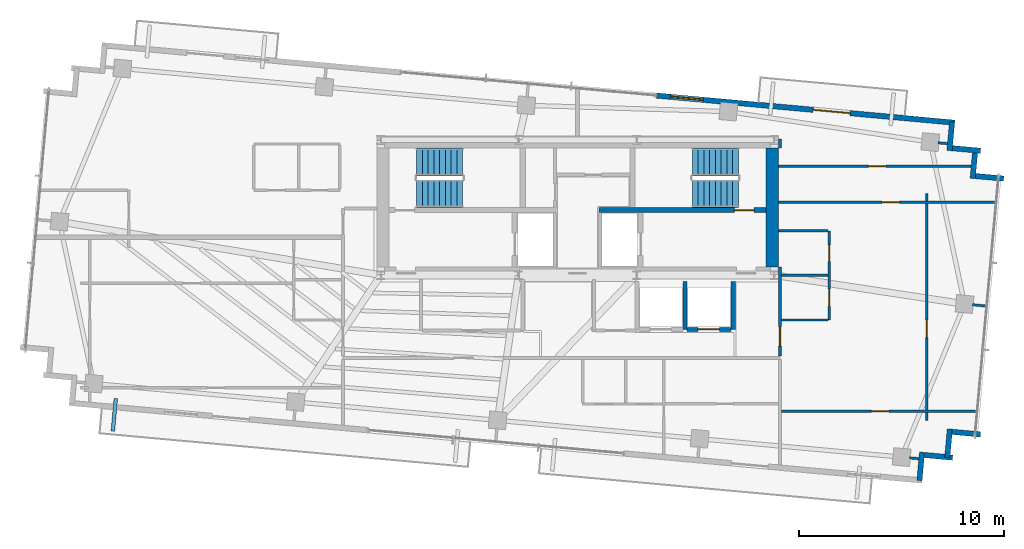
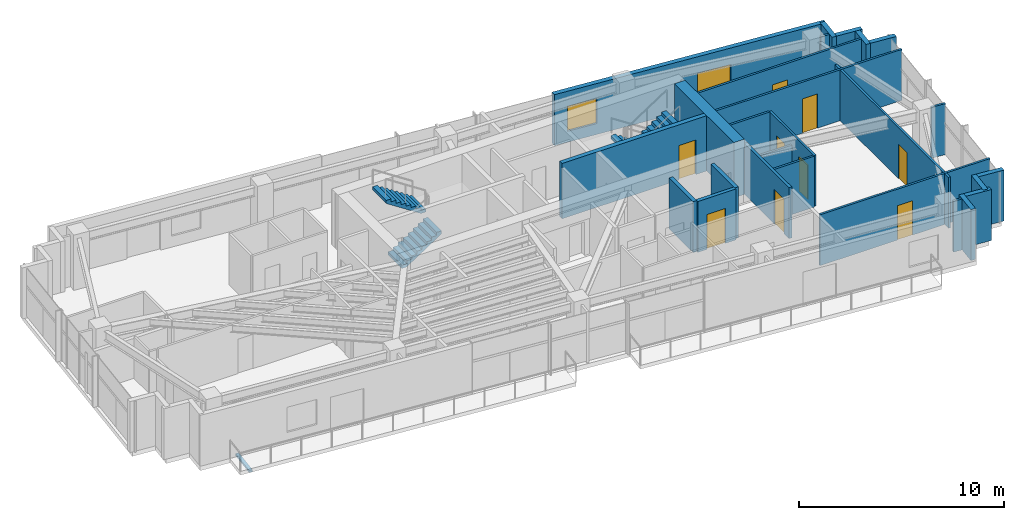
# One storey, part 18 of 22: 29 walls, 10 doors, 4 stair flights, 1 discrete accessory, 1 window, 11 openings, 2 elements without a shape of their own.
"""IFC4 building model written with IfcOpenShell, lengths in metres."""

from ifc_helpers import new_model, si_unit, direction, frame, frame_2d, origin, origin_2d, place, context, subcontext, project, spatial, polyline, rectangle, outline, extrude, source, transform, mapped, material, layer, layer_set, type_object, type_shapes, element, fill, aggregate, save


model = new_model("IFC4")

# Units and contexts
model_context = context("Model", 3, precision=1e-05, world=origin(), true_north=direction((0.0, 1.0)))
body_context = subcontext(model_context, "Body", "Model", "MODEL_VIEW")
ifc_project = project(units=[si_unit("LENGTHUNIT", "METRE"), si_unit("AREAUNIT", "SQUARE_METRE"), si_unit("VOLUMEUNIT", "CUBIC_METRE"), si_unit("PLANEANGLEUNIT", "RADIAN"), si_unit("MASSUNIT", "GRAM", prefix="KILO")], contexts=[model_context])

# Site, building, storey
site_placement = place(None, origin())
site = spatial("IfcSite", under=ifc_project, at=site_placement, CompositionType="ELEMENT")
building_placement = place(site_placement, origin())
building = spatial("IfcBuilding", under=site, at=building_placement, Name="Astriad Promenade Condominiums", CompositionType="ELEMENT")
storey_placement = place(building_placement, frame((0.0, 0.0, 252.89990234375)))
storey = spatial("IfcBuildingStorey", under=building, at=storey_placement, Name="L73", CompositionType="ELEMENT", Elevation=252.89990234375)

# Wall
ifc_material_1 = material(Name="Concrete C50/60", Category="concrete")
ifc_layer_1 = layer(ifc_material_1, 0.60009765625)
ifc_layer_set_1 = layer_set([ifc_layer_1], Name="Concrete C50/60")
wall_type_1 = type_object("IfcWallType", Name="CW-SHEAR-600", PredefinedType="SHEAR", material=ifc_layer_set_1)
wall_1_placement = place(storey_placement, frame((45.5, 17.802001953125, 0.0), z_axis=(0.0, 0.0, 1.0), x_axis=(0.0, 1.0, 0.0)))
element("IfcWall", 1, at=wall_1_placement, inside=storey, type_object=wall_type_1, Name="CW-CORE-E-L73", PredefinedType="SHEAR", context=body_context, shape_type="SweptSolid", body=[
    extrude(rectangle(XDim=5.7958984375, YDim=0.60009765625, at=frame_2d((2.89794921875, 0.0))), origin(), (0.0, 0.0, 1.0), 3.300048828125),
])

# Wall, opening, door
ifc_layer_2 = layer(ifc_material_1, 0.25)
ifc_layer_set_2 = layer_set([ifc_layer_2], Name="Concrete C50/60")
wall_type_2 = type_object("IfcWallType", Name="WALL-CORE-INT-250", PredefinedType="SOLIDWALL", material=ifc_layer_set_2)
wall_2_placement = place(storey_placement, frame((37.050048828125, 20.574951171875, 0.0), z_axis=(0.0, 0.0, 1.0), x_axis=(1.0, 0.0, 0.0)))
wall_2 = element("IfcWall", 2, at=wall_2_placement, inside=storey, type_object=wall_type_2, Name="CW-INT-H2-L73", PredefinedType="SOLIDWALL", context=body_context, shape_type="SweptSolid", body=[
    extrude(rectangle(XDim=8.14794921875, YDim=0.25, at=frame_2d((4.073974609375, 0.0))), origin(), (0.0, 0.0, 1.0), 3.300048828125),
])
opening_1_placement = place(wall_2_placement, frame((6.60009765625, 0.0, 0.0)))
opening_1 = element("IfcOpeningElement", 3, at=opening_1_placement, cuts=wall_2, Name="Opening FD90-ST-095", PredefinedType="OPENING", context=body_context, shape_type="SweptSolid", body=[
    extrude(rectangle(XDim=0.949951171875, YDim=2.06005859375, at=frame_2d((0.47509765625, 1.030029296875))), frame((0.0, 0.135009765625, 0.0), z_axis=(0.0, -1.0, 0.0), x_axis=(1.0, 0.0, 0.0)), (0.0, 0.0, 1.0), 0.27001953125),
])
ifc_material_2 = material(Name="Fire-Rated Hollow Metal Stair Door")
door_type_1 = type_object("IfcDoorType", Name="FD90-ST-095", OperationType="NOTDEFINED", PredefinedType="DOOR", material=ifc_material_2)
shared_shape_1 = source(origin(), body_context, "Body", "SweptSolid", [
    extrude(rectangle(XDim=0.949951171875, YDim=2.06005859375, at=frame_2d((0.47509765625, 1.030029296875))), frame((0.0, 0.02490234375, 0.0), z_axis=(0.0, -1.0, 0.0), x_axis=(1.0, 0.0, 0.0)), (0.0, 0.0, 1.0), 0.050048828125),
])
type_shapes(door_type_1, [shared_shape_1])
door_1_placement = place(opening_1_placement, origin())
door_1 = element("IfcDoor", 4, at=door_1_placement, inside=storey, type_object=door_type_1, Name="D-ST2-L73", OperationType="SINGLE_SWING_RIGHT", OverallHeight=2.06005859375, OverallWidth=0.949951171875, PredefinedType="DOOR", context=body_context, shape_type="MappedRepresentation", body=[
    mapped(shared_shape_1, transform((0.0, 0.0, 0.0), scale=1.0)),
])
fill(opening_1, door_1)

ifc_material_3 = material(Name="Fire-Rated Gypsum Partition")
ifc_layer_3 = layer(ifc_material_3, 0.159912109375)
ifc_layer_set_3 = layer_set([ifc_layer_3], Name="Fire-Rated Gypsum Partition")
wall_type_3 = type_object("IfcWallType", Name="WALL-CORR-160", PredefinedType="PARTITIONING", material=ifc_layer_set_3)
wall_3_placement = place(storey_placement, frame((45.8798828125, 13.44189453125, 0.0), z_axis=(0.0, 0.0, 1.0), x_axis=(0.0, 1.0, 0.0)))
wall_3 = element("IfcWall", 5, at=wall_3_placement, inside=storey, type_object=wall_type_3, Name="PT-COR-E-L73-S2", PredefinedType="PARTITIONING", context=body_context, shape_type="SweptSolid", body=[
    extrude(rectangle(XDim=4.360107421875, YDim=0.159912109375, at=frame_2d((2.18017578125, 0.0))), origin(), (0.0, 0.0, 1.0), 3.0400390625),
])
opening_2_placement = place(wall_3_placement, frame((0.492919921875, 0.0, 0.0)))
opening_2 = element("IfcOpeningElement", 6, at=opening_2_placement, cuts=wall_3, Name="Opening FD60-APT-095", PredefinedType="OPENING", context=body_context, shape_type="SweptSolid", body=[
    extrude(rectangle(XDim=0.949951171875, YDim=2.06005859375, at=frame_2d((0.47509765625, 1.030029296875))), frame((0.0, 0.08984375, 0.0), z_axis=(0.0, -1.0, 0.0), x_axis=(1.0, 0.0, 0.0)), (0.0, 0.0, 1.0), 0.179931640625),
])
ifc_material_4 = material(Name="Solid-Core Acoustic Timber Residence Entry Door", Category="wood")
door_type_2 = type_object("IfcDoorType", Name="FD60-APT-095", OperationType="NOTDEFINED", PredefinedType="DOOR", material=ifc_material_4)
shared_shape_2 = source(origin(), body_context, "Body", "SweptSolid", [
    extrude(rectangle(XDim=0.949951171875, YDim=2.06005859375, at=frame_2d((0.47509765625, 1.030029296875))), frame((0.0, 0.02490234375, 0.0), z_axis=(0.0, -1.0, 0.0), x_axis=(1.0, 0.0, 0.0)), (0.0, 0.0, 1.0), 0.050048828125),
])
type_shapes(door_type_2, [shared_shape_2])
door_2_placement = place(opening_2_placement, origin())
door_2 = element("IfcDoor", 7, at=door_2_placement, inside=storey, type_object=door_type_2, Name="D-ENT-L73-E1", OperationType="SINGLE_SWING_RIGHT", OverallHeight=2.06005859375, OverallWidth=0.949951171875, PredefinedType="DOOR", context=body_context, shape_type="MappedRepresentation", body=[
    mapped(shared_shape_2, transform((0.0, 0.0, 0.0), scale=1.0)),
])
fill(opening_2, door_2)

# Wall
wall_4_placement = place(storey_placement, frame((45.8798828125, 23.597900390625, 0.0), z_axis=(0.0, 0.0, 1.0), x_axis=(0.0, 1.0, 0.0)))
element("IfcWall", 8, at=wall_4_placement, inside=storey, type_object=wall_type_3, Name="PT-COR-E-L73-S3", PredefinedType="PARTITIONING", context=body_context, shape_type="SweptSolid", body=[
    extrude(rectangle(XDim=0.4521484375, YDim=0.159912109375, at=frame_2d((0.22607421875, 0.0))), origin(), (0.0, 0.0, 1.0), 3.0400390625),
])

# Wall, openings, door, window
ifc_material_5 = material(Name="Precast concrete C50/60", Category="concrete")
ifc_layer_4 = layer(ifc_material_5, 0.260009765625)
ifc_layer_set_4 = layer_set([ifc_layer_4], Name="Precast concrete C50/60")
wall_type_4 = type_object("IfcWallType", Name="WALL-EXT-TWR-260", PredefinedType="STANDARD", material=ifc_layer_set_4)
wall_5_placement = place(storey_placement, frame((39.839111328125, 26.16552734375, 0.0), z_axis=(0.0, 0.0, 1.0), x_axis=(0.995884447498, -0.090632043071, 0.0)))
wall_5 = element("IfcWall", 9, at=wall_5_placement, inside=storey, type_object=wall_type_4, Name="W-EXT-L73-N2", PredefinedType="STANDARD", context=body_context, shape_type="SweptSolid", body=[
    extrude(rectangle(XDim=14.6298828125, YDim=0.260009765625, at=frame_2d((7.31494140625, 0.0))), origin(), (0.0, 0.0, 1.0), 3.0400390625),
])
opening_3_placement = place(wall_5_placement, frame((7.699951171875, 0.0, 0.0)))
opening_3 = element("IfcOpeningElement", 10, at=opening_3_placement, cuts=wall_5, Name="Opening BD-1822-SLD", PredefinedType="OPENING", context=body_context, shape_type="SweptSolid", body=[
    extrude(rectangle(XDim=1.800048828125, YDim=2.06005859375, at=frame_2d((0.89990234375, 1.030029296875))), frame((0.0, 0.139892578125, 0.0), z_axis=(0.0, -1.0, 0.0), x_axis=(1.0, 0.0, 0.0)), (0.0, 0.0, 1.0), 0.280029296875),
])
opening_4_placement = place(wall_5_placement, frame((0.699951171875, 0.0, 0.64990234375)))
opening_4 = element("IfcOpeningElement", 11, at=opening_4_placement, cuts=wall_5, Name="Opening WIN-TWR-1620", PredefinedType="OPENING", context=body_context, shape_type="SweptSolid", body=[
    extrude(rectangle(XDim=1.60009765625, YDim=1.5, at=frame_2d((0.800048828125, 0.75))), frame((0.0, 0.139892578125, 0.0), z_axis=(0.0, -1.0, 0.0), x_axis=(1.0, 0.0, 0.0)), (0.0, 0.0, 1.0), 0.280029296875),
])
ifc_material_6 = material(Name="Thermally Broken Aluminium Sliding Balcony Door", Category="aluminium")
door_type_3 = type_object("IfcDoorType", Name="BD-1822-SLD", OperationType="NOTDEFINED", PredefinedType="DOOR", material=ifc_material_6)
shared_shape_3 = source(origin(), body_context, "Body", "SweptSolid", [
    extrude(rectangle(XDim=1.800048828125, YDim=2.06005859375, at=frame_2d((0.89990234375, 1.030029296875))), frame((0.0, 0.02490234375, 0.0), z_axis=(0.0, -1.0, 0.0), x_axis=(1.0, 0.0, 0.0)), (0.0, 0.0, 1.0), 0.050048828125),
])
type_shapes(door_type_3, [shared_shape_3])
door_3_placement = place(opening_3_placement, origin())
door_3 = element("IfcDoor", 12, at=door_3_placement, inside=storey, type_object=door_type_3, Name="BD-L73-NE", OperationType="SLIDING_TO_RIGHT", OverallHeight=2.06005859375, OverallWidth=1.800048828125, PredefinedType="DOOR", context=body_context, shape_type="MappedRepresentation", body=[
    mapped(shared_shape_3, transform((0.0, 0.0, 0.0), scale=1.0)),
])
fill(opening_3, door_3)
ifc_material_7 = material(Name="Dark Tinted Triple-Glazed Aluminium Window", Category="aluminium")
window_type = type_object("IfcWindowType", Name="WIN-TWR-1620", PartitioningType="SINGLE_PANEL", PredefinedType="WINDOW", material=ifc_material_7)
shared_shape_4 = source(origin(), body_context, "Body", "SweptSolid", [
    extrude(rectangle(XDim=1.60009765625, YDim=1.5, at=frame_2d((0.800048828125, 0.75))), frame((0.0, 0.030029296875, 0.0), z_axis=(0.0, -1.0, 0.0), x_axis=(1.0, 0.0, 0.0)), (0.0, 0.0, 1.0), 0.06005859375),
])
type_shapes(window_type, [shared_shape_4])
window_placement = place(opening_4_placement, origin())
window = element("IfcWindow", 13, at=window_placement, inside=storey, type_object=window_type, Name="WIN-L73-NE", OverallHeight=1.5, OverallWidth=1.60009765625, PartitioningType="SINGLE_PANEL", PredefinedType="WINDOW", context=body_context, shape_type="MappedRepresentation", body=[
    mapped(shared_shape_4, transform((0.0, 0.0, 0.0), scale=1.0)),
])
fill(opening_4, window)

# Walls
wall_6_placement = place(storey_placement, frame((54.28076171875, 24.866455078125, 0.0), z_axis=(0.0, 0.0, 1.0), x_axis=(-0.090661991521, -0.995881721538, 0.0)))
element("IfcWall", 14, at=wall_6_placement, inside=storey, type_object=wall_type_4, Name="W-SER-L73-09", PredefinedType="STANDARD", context=body_context, shape_type="SweptSolid", body=[
    extrude(rectangle(XDim=1.39501953125, YDim=0.260009765625, at=frame_2d((0.697509765625, 0.0))), origin(), (0.0, 0.0, 1.0), 3.0400390625),
])
for number, where, z_axis, x_axis, name in (
    (15, (54.280517578125, 23.59619140625, 0.0), (0.0, 0.0, 1.0), (0.995883159782, -0.090646191665, 0.0), "W-SER-L73-10"),
    (16, (55.412353515625, 23.50830078125, 0.0), (0.0, 0.0, 1.0), (-0.090646191665, -0.995883159782, 0.0), "W-SER-L73-11"),
    (17, (55.412109375, 22.238037109375, 0.0), (0.0, 0.0, 1.0), (0.995883159782, -0.090646191665, 0.0), "W-SER-L73-12"),
):
    element("IfcWall", number, at=place(storey_placement, frame(where, z_axis=z_axis, x_axis=x_axis)), inside=storey, type_object=wall_type_4, Name=name, PredefinedType="STANDARD", context=body_context, shape_type="SweptSolid", body=[
        extrude(rectangle(XDim=1.395263671875, YDim=0.260009765625, at=frame_2d((0.69775390625, 0.0))), origin(), (0.0, 0.0, 1.0), 3.0400390625),
    ])
for number, where, z_axis, x_axis, name in (
    (18, (55.664794921875, 9.623291015625, 0.0), (0.0, 0.0, 1.0), (-0.995881721538, 0.090661991521, 0.0), "W-SER-L73-14"),
    (19, (54.1728515625, 9.889404296875, 0.0), (0.0, 0.0, 1.0), (-0.090661991521, -0.995881721538, 0.0), "W-SER-L73-15"),
):
    element("IfcWall", number, at=place(storey_placement, frame(where, z_axis=z_axis, x_axis=x_axis)), inside=storey, type_object=wall_type_4, Name=name, PredefinedType="STANDARD", context=body_context, shape_type="SweptSolid", body=[
        extrude(rectangle(XDim=1.39501953125, YDim=0.260009765625, at=frame_2d((0.697509765625, 0.0))), origin(), (0.0, 0.0, 1.0), 3.0400390625),
    ])
for number, where, z_axis, x_axis, name in (
    (20, (54.306884765625, 8.49169921875, 0.0), (0.0, 0.0, 1.0), (-0.995883159782, 0.090646191665, 0.0), "W-SER-L73-16"),
    (21, (52.814697265625, 8.758056640625, 0.0), (0.0, 0.0, 1.0), (-0.090646191665, -0.995883159782, 0.0), "W-SER-L73-17"),
):
    element("IfcWall", number, at=place(storey_placement, frame(where, z_axis=z_axis, x_axis=x_axis)), inside=storey, type_object=wall_type_4, Name=name, PredefinedType="STANDARD", context=body_context, shape_type="SweptSolid", body=[
        extrude(rectangle(XDim=1.395263671875, YDim=0.260009765625, at=frame_2d((0.69775390625, 0.0))), origin(), (0.0, 0.0, 1.0), 3.0400390625),
    ])

# Wall, openings, doors
ifc_material_8 = material(Name="Acoustic Metal-Stud Gypsum Partition")
ifc_layer_5 = layer(ifc_material_8, 0.1201171875)
ifc_layer_set_5 = layer_set([ifc_layer_5], Name="Acoustic Metal-Stud Gypsum Partition")
wall_type_5 = type_object("IfcWallType", Name="WALL-PART-120", PredefinedType="PARTITIONING", material=ifc_layer_set_5)
wall_7_placement = place(storey_placement, frame((48.280029296875, 15.2099609375, 0.0), z_axis=(0.0, 0.0, 1.0), x_axis=(0.0, 1.0, 0.0)))
wall_7 = element("IfcWall", 22, at=wall_7_placement, inside=storey, type_object=wall_type_5, Name="PT-L73-E1-PV", PredefinedType="PARTITIONING", context=body_context, shape_type="SweptSolid", body=[
    extrude(rectangle(XDim=4.35009765625, YDim=0.1201171875, at=frame_2d((2.175048828125, 0.0))), origin(), (0.0, 0.0, 1.0), 3.0400390625),
])
opening_5_placement = place(wall_7_placement, frame((0.662109375, 0.0, 0.0)))
opening_5 = element("IfcOpeningElement", 23, at=opening_5_placement, cuts=wall_7, Name="Opening D-INT-085", PredefinedType="OPENING", context=body_context, shape_type="SweptSolid", body=[
    extrude(rectangle(XDim=0.85009765625, YDim=2.050048828125, at=frame_2d((0.425048828125, 1.02490234375))), frame((0.0, 0.070068359375, 0.0), z_axis=(0.0, -1.0, 0.0), x_axis=(1.0, 0.0, 0.0)), (0.0, 0.0, 1.0), 0.14013671875),
])
opening_6_placement = place(wall_7_placement, frame((2.863037109375, 0.0, 0.0)))
opening_6 = element("IfcOpeningElement", 24, at=opening_6_placement, cuts=wall_7, Name="Opening D-WET-080", PredefinedType="OPENING", context=body_context, shape_type="SweptSolid", body=[
    extrude(rectangle(XDim=0.800048828125, YDim=2.02001953125, at=frame_2d((0.39990234375, 1.010009765625))), frame((0.0, 0.070068359375, 0.0), z_axis=(0.0, -1.0, 0.0), x_axis=(1.0, 0.0, 0.0)), (0.0, 0.0, 1.0), 0.14013671875),
])
ifc_material_9 = material(Name="Moisture-Resistant Timber Bathroom Door", Category="wood")
door_type_4 = type_object("IfcDoorType", Name="D-WET-080", OperationType="NOTDEFINED", PredefinedType="DOOR", material=ifc_material_9)
shared_shape_5 = source(origin(), body_context, "Body", "SweptSolid", [
    extrude(rectangle(XDim=0.800048828125, YDim=2.02001953125, at=frame_2d((0.39990234375, 1.010009765625))), frame((0.0, 0.02490234375, 0.0), z_axis=(0.0, -1.0, 0.0), x_axis=(1.0, 0.0, 0.0)), (0.0, 0.0, 1.0), 0.050048828125),
])
type_shapes(door_type_4, [shared_shape_5])
door_4_placement = place(opening_6_placement, origin())
door_4 = element("IfcDoor", 25, at=door_4_placement, inside=storey, type_object=door_type_4, Name="D-BTH-L73-E1", OperationType="SINGLE_SWING_RIGHT", OverallHeight=2.02001953125, OverallWidth=0.800048828125, PredefinedType="DOOR", context=body_context, shape_type="MappedRepresentation", body=[
    mapped(shared_shape_5, transform((0.0, 0.0, 0.0), scale=1.0)),
])
fill(opening_6, door_4)
ifc_material_10 = material(Name="Painted Solid-Core Timber Room Door", Category="wood")
door_type_5 = type_object("IfcDoorType", Name="D-INT-085", OperationType="NOTDEFINED", PredefinedType="DOOR", material=ifc_material_10)
shared_shape_6 = source(origin(), body_context, "Body", "SweptSolid", [
    extrude(rectangle(XDim=0.85009765625, YDim=2.050048828125, at=frame_2d((0.425048828125, 1.02490234375))), frame((0.0, 0.02490234375, 0.0), z_axis=(0.0, -1.0, 0.0), x_axis=(1.0, 0.0, 0.0)), (0.0, 0.0, 1.0), 0.050048828125),
])
type_shapes(door_type_5, [shared_shape_6])
door_5_placement = place(opening_5_placement, origin())
door_5 = element("IfcDoor", 26, at=door_5_placement, inside=storey, type_object=door_type_5, Name="D-KIT-L73-E1", OperationType="SINGLE_SWING_LEFT", OverallHeight=2.050048828125, OverallWidth=0.85009765625, PredefinedType="DOOR", context=body_context, shape_type="MappedRepresentation", body=[
    mapped(shared_shape_6, transform((0.0, 0.0, 0.0), scale=1.0)),
])
fill(opening_5, door_5)

# Walls
wall_8_placement = place(storey_placement, frame((45.9619140625, 17.385009765625, 0.0), z_axis=(0.0, 0.0, 1.0), x_axis=(1.0, 0.0, 0.0)))
element("IfcWall", 27, at=wall_8_placement, inside=storey, type_object=wall_type_5, Name="PT-L73-E1-PM", PredefinedType="PARTITIONING", context=body_context, shape_type="SweptSolid", body=[
    extrude(rectangle(XDim=2.256103515625, YDim=0.1201171875, at=frame_2d((1.1279296875, 0.0))), origin(), (0.0, 0.0, 1.0), 2.381591796875),
])
wall_9_placement = place(storey_placement, frame((45.9619140625, 15.2099609375, 0.0), z_axis=(0.0, 0.0, 1.0), x_axis=(1.0, 0.0, 0.0)))
element("IfcWall", 28, at=wall_9_placement, inside=storey, type_object=wall_type_5, Name="PT-L73-E1-PS", PredefinedType="PARTITIONING", context=body_context, shape_type="SweptSolid", body=[
    extrude(rectangle(XDim=2.256103515625, YDim=0.1201171875, at=frame_2d((1.1279296875, 0.0))), origin(), (0.0, 0.0, 1.0), 3.0400390625),
])
wall_10_placement = place(storey_placement, frame((45.802001953125, 19.56005859375, 0.0), z_axis=(0.0, 0.0, 1.0), x_axis=(1.0, 0.0, 0.0)))
element("IfcWall", 29, at=wall_10_placement, inside=storey, type_object=wall_type_5, Name="PT-L73-E1-PN", PredefinedType="PARTITIONING", context=body_context, shape_type="SweptSolid", body=[
    extrude(rectangle(XDim=2.416015625, YDim=0.1201171875, at=frame_2d((1.2080078125, 0.0))), origin(), (0.0, 0.0, 1.0), 3.0400390625),
])

# Wall, opening, door
wall_11_placement = place(storey_placement, frame((45.802001953125, 22.717041015625, 0.0), z_axis=(0.0, 0.0, 1.0), x_axis=(1.0, 0.0, 0.0)))
wall_11 = element("IfcWall", 30, at=wall_11_placement, inside=storey, type_object=wall_type_5, Name="PT-L73-E1-WDN1", PredefinedType="PARTITIONING", context=body_context, shape_type="SweptSolid", body=[
    extrude(rectangle(XDim=9.40576171875, YDim=0.1201171875, at=frame_2d((4.702880859375, 0.0))), origin(), (0.0, 0.0, 1.0), 3.0400390625),
])
opening_7_placement = place(wall_11_placement, frame((4.39697265625, 0.0, 0.0)))
opening_7 = element("IfcOpeningElement", 31, at=opening_7_placement, cuts=wall_11, Name="Opening D-INT-085", PredefinedType="OPENING", context=body_context, shape_type="SweptSolid", body=[
    extrude(rectangle(XDim=0.85009765625, YDim=2.050048828125, at=frame_2d((0.425048828125, 1.02490234375))), frame((0.0, 0.070068359375, 0.0), z_axis=(0.0, -1.0, 0.0), x_axis=(1.0, 0.0, 0.0)), (0.0, 0.0, 1.0), 0.14013671875),
])
door_6_placement = place(opening_7_placement, origin())
door_6 = element("IfcDoor", 32, at=door_6_placement, inside=storey, type_object=door_type_5, Name="D-WDN1-L73-E1", OperationType="SINGLE_SWING_LEFT", OverallHeight=2.050048828125, OverallWidth=0.85009765625, PredefinedType="DOOR", context=body_context, shape_type="MappedRepresentation", body=[
    mapped(shared_shape_6, transform((0.0, 0.0, 0.0), scale=1.0)),
])
fill(opening_7, door_6)

wall_12_placement = place(storey_placement, frame((45.9619140625, 10.74609375, 0.0), z_axis=(0.0, 0.0, 1.0), x_axis=(1.0, 0.0, 0.0)))
wall_12 = element("IfcWall", 33, at=wall_12_placement, inside=storey, type_object=wall_type_5, Name="PT-L73-E1-WDS2", PredefinedType="PARTITIONING", context=body_context, shape_type="SweptSolid", body=[
    extrude(rectangle(XDim=9.59423828125, YDim=0.1201171875, at=frame_2d((4.797119140625, 0.0))), origin(), (0.0, 0.0, 1.0), 3.0400390625),
])
opening_8_placement = place(wall_12_placement, frame((4.3779296875, 0.0, 0.0)))
opening_8 = element("IfcOpeningElement", 34, at=opening_8_placement, cuts=wall_12, Name="Opening D-INT-085", PredefinedType="OPENING", context=body_context, shape_type="SweptSolid", body=[
    extrude(rectangle(XDim=0.85009765625, YDim=2.050048828125, at=frame_2d((0.425048828125, 1.02490234375))), frame((0.0, 0.070068359375, 0.0), z_axis=(0.0, -1.0, 0.0), x_axis=(1.0, 0.0, 0.0)), (0.0, 0.0, 1.0), 0.14013671875),
])
door_7_placement = place(opening_8_placement, origin())
door_7 = element("IfcDoor", 35, at=door_7_placement, inside=storey, type_object=door_type_5, Name="D-WDS2-L73-E1", OperationType="SINGLE_SWING_RIGHT", OverallHeight=2.050048828125, OverallWidth=0.85009765625, PredefinedType="DOOR", context=body_context, shape_type="MappedRepresentation", body=[
    mapped(shared_shape_6, transform((0.0, 0.0, 0.0), scale=1.0)),
])
fill(opening_8, door_7)

wall_13_placement = place(storey_placement, frame((45.802001953125, 20.9541015625, 0.0), z_axis=(0.0, 0.0, 1.0), x_axis=(1.0, 0.0, 0.0)))
wall_13 = element("IfcWall", 36, at=wall_13_placement, inside=storey, type_object=wall_type_5, Name="PT-L73-E1-WDN3", PredefinedType="PARTITIONING", context=body_context, shape_type="SweptSolid", body=[
    extrude(rectangle(XDim=10.68310546875, YDim=0.1201171875, at=frame_2d((5.341552734375, 0.0))), origin(), (0.0, 0.0, 1.0), 3.0400390625),
])
opening_9_placement = place(wall_13_placement, frame((5.06201171875, 0.0, 0.0)))
opening_9 = element("IfcOpeningElement", 37, at=opening_9_placement, cuts=wall_13, Name="Opening D-INT-085", PredefinedType="OPENING", context=body_context, shape_type="SweptSolid", body=[
    extrude(rectangle(XDim=0.85009765625, YDim=2.050048828125, at=frame_2d((0.425048828125, 1.02490234375))), frame((0.0, 0.070068359375, 0.0), z_axis=(0.0, -1.0, 0.0), x_axis=(1.0, 0.0, 0.0)), (0.0, 0.0, 1.0), 0.14013671875),
])
door_8_placement = place(opening_9_placement, origin())
door_8 = element("IfcDoor", 38, at=door_8_placement, inside=storey, type_object=door_type_5, Name="D-WDN3-L73-E1", OperationType="SINGLE_SWING_LEFT", OverallHeight=2.050048828125, OverallWidth=0.85009765625, PredefinedType="DOOR", context=body_context, shape_type="MappedRepresentation", body=[
    mapped(shared_shape_6, transform((0.0, 0.0, 0.0), scale=1.0)),
])
fill(opening_9, door_8)

# Wall
wall_14_placement = place(storey_placement, frame((53.047119140625, 10.305908203125, 0.0), z_axis=(0.0, 0.0, 1.0), x_axis=(0.0, 1.0, 0.0)))
element("IfcWall", 39, at=wall_14_placement, inside=storey, type_object=wall_type_5, Name="PT-L73-E1-WDV4", PredefinedType="PARTITIONING", context=body_context, shape_type="SweptSolid", body=[
    extrude(rectangle(XDim=0.378173828125, YDim=0.1201171875, at=frame_2d((0.18896484375, 0.0))), origin(), (0.0, 0.0, 1.0), 3.0400390625),
])

# Wall, opening, door
wall_15_placement = place(storey_placement, frame((53.047119140625, 10.80810546875, 0.0), z_axis=(0.0, 0.0, 1.0), x_axis=(0.0, 1.0, 0.0)))
wall_15 = element("IfcWall", 40, at=wall_15_placement, inside=storey, type_object=wall_type_5, Name="PT-L73-E1-WDV4-S2", PredefinedType="PARTITIONING", context=body_context, shape_type="SweptSolid", body=[
    extrude(rectangle(XDim=10.083984375, YDim=0.1201171875, at=frame_2d((5.0419921875, 0.0))), origin(), (0.0, 0.0, 1.0), 3.0400390625),
])
opening_10_placement = place(wall_15_placement, frame((3.5400390625, 0.0, 0.0)))
opening_10 = element("IfcOpeningElement", 41, at=opening_10_placement, cuts=wall_15, Name="Opening D-INT-085", PredefinedType="OPENING", context=body_context, shape_type="SweptSolid", body=[
    extrude(rectangle(XDim=0.85009765625, YDim=2.050048828125, at=frame_2d((0.425048828125, 1.02490234375))), frame((0.0, 0.070068359375, 0.0), z_axis=(0.0, -1.0, 0.0), x_axis=(1.0, 0.0, 0.0)), (0.0, 0.0, 1.0), 0.14013671875),
])
door_9_placement = place(opening_10_placement, origin())
door_9 = element("IfcDoor", 42, at=door_9_placement, inside=storey, type_object=door_type_5, Name="D-WDV4-L73-E1", OperationType="SINGLE_SWING_RIGHT", OverallHeight=2.050048828125, OverallWidth=0.85009765625, PredefinedType="DOOR", context=body_context, shape_type="MappedRepresentation", body=[
    mapped(shared_shape_6, transform((0.0, 0.0, 0.0), scale=1.0)),
])
fill(opening_10, door_9)

# Walls
wall_16_placement = place(storey_placement, frame((53.047119140625, 21.01611328125, 0.0), z_axis=(0.0, 0.0, 1.0), x_axis=(0.0, 1.0, 0.0)))
element("IfcWall", 43, at=wall_16_placement, inside=storey, type_object=wall_type_5, Name="PT-L73-E1-WDV4-S3", PredefinedType="PARTITIONING", context=body_context, shape_type="SweptSolid", body=[
    extrude(rectangle(XDim=0.3779296875, YDim=0.1201171875, at=frame_2d((0.18896484375, 0.0))), origin(), (0.0, 0.0, 1.0), 3.0400390625),
])
for number, where, z_axis, x_axis, name in (
    (44, (52.197265625, 8.48291015625, 0.0), (0.0, 0.0, 1.0), (0.995884462012, -0.090631883588, 0.0), "PT-PIL-L73-PC05-12"),
    (45, (53.5966796875, 23.859375, 0.0), (0.0, 0.0, 1.0), (0.995884462012, -0.090631883588, 0.0), "PT-PIL-L73-PC10-17"),
):
    element("IfcWall", number, at=place(storey_placement, frame(where, z_axis=z_axis, x_axis=x_axis)), inside=storey, type_object=wall_type_5, Name=name, PredefinedType="PARTITIONING", context=body_context, shape_type="SweptSolid", body=[
        extrude(rectangle(XDim=0.4580078125, YDim=0.1201171875, at=frame_2d((0.22900390625, 0.0))), origin(), (0.0, 0.0, 1.0), 3.0400390625),
    ])
wall_17_placement = place(storey_placement, frame((55.26708984375, 15.955322265625, 0.0), z_axis=(0.0, 0.0, 1.0), x_axis=(0.995887938321, -0.09059367697, 0.0)))
element("IfcWall", 46, at=wall_17_placement, inside=storey, type_object=wall_type_5, Name="PT-PIL-L73-PC12-19", PredefinedType="PARTITIONING", context=body_context, shape_type="SweptSolid", body=[
    extrude(rectangle(XDim=0.760009765625, YDim=0.1201171875, at=frame_2d((0.3798828125, 0.0))), origin(), (0.0, 0.0, 1.0), 3.0400390625),
])
ifc_material_11 = material(Name="Gypsum Shaftliner Assembly")
ifc_layer_6 = layer(ifc_material_11, 0.199951171875)
ifc_layer_set_6 = layer_set([ifc_layer_6], Name="Gypsum Shaftliner Assembly")
wall_type_6 = type_object("IfcWallType", Name="WALL-SHAFT-200", PredefinedType="PARTITIONING", material=ifc_layer_set_6)
for number, where, z_axis, x_axis, name in (
    (47, (41.25, 14.75, 0.0), (0.0, 0.0, 1.0), (0.0, 1.0, 0.0), "PL-H-DIV-L73"),
    (48, (43.60009765625, 14.75, 0.0), (0.0, 0.0, 1.0), (0.0, 1.0, 0.0), "PL-E-OUT-L73"),
):
    element("IfcWall", number, at=place(storey_placement, frame(where, z_axis=z_axis, x_axis=x_axis)), inside=storey, type_object=wall_type_6, Name=name, PredefinedType="PARTITIONING", context=body_context, shape_type="SweptSolid", body=[
        extrude(rectangle(XDim=2.35009765625, YDim=0.199951171875, at=frame_2d((1.175048828125, 0.0))), origin(), (0.0, 0.0, 1.0), 3.0400390625),
    ])

# Wall, opening, door
wall_18_placement = place(storey_placement, frame((41.35205078125, 14.75, 0.0), z_axis=(0.0, 0.0, 1.0), x_axis=(1.0, 0.0, 0.0)))
wall_18 = element("IfcWall", 49, at=wall_18_placement, inside=storey, type_object=wall_type_6, Name="PL-H-FRT-L73-S2", PredefinedType="PARTITIONING", context=body_context, shape_type="SweptSolid", body=[
    extrude(rectangle(XDim=2.14599609375, YDim=0.199951171875, at=frame_2d((1.072998046875, 0.0))), origin(), (0.0, 0.0, 1.0), 3.0400390625),
])
opening_11_placement = place(wall_18_placement, frame((0.52294921875, 0.0, 0.0)))
opening_11 = element("IfcOpeningElement", 50, at=opening_11_placement, cuts=wall_18, Name="Opening LD-PL-10522", PredefinedType="OPENING", context=body_context, shape_type="SweptSolid", body=[
    extrude(rectangle(XDim=1.050048828125, YDim=2.080078125, at=frame_2d((0.52490234375, 1.0400390625))), frame((0.0, 0.10986328125, 0.0), z_axis=(0.0, -1.0, 0.0), x_axis=(1.0, 0.0, 0.0)), (0.0, 0.0, 1.0), 0.219970703125),
])
ifc_material_12 = material(Name="Brushed Bronze Passenger Elevator Landing Door")
door_type_6 = type_object("IfcDoorType", Name="LD-PL-10522", OperationType="NOTDEFINED", PredefinedType="DOOR", material=ifc_material_12)
shared_shape_7 = source(origin(), body_context, "Body", "SweptSolid", [
    extrude(rectangle(XDim=1.050048828125, YDim=2.080078125, at=frame_2d((0.52490234375, 1.0400390625))), frame((0.0, 0.02490234375, 0.0), z_axis=(0.0, -1.0, 0.0), x_axis=(1.0, 0.0, 0.0)), (0.0, 0.0, 1.0), 0.050048828125),
])
type_shapes(door_type_6, [shared_shape_7])
door_10_placement = place(opening_11_placement, origin())
door_10 = element("IfcDoor", 51, at=door_10_placement, inside=storey, type_object=door_type_6, Name="Elevator Landing Door PL-H2 (L73)", OperationType="SLIDING_TO_RIGHT", OverallHeight=2.080078125, OverallWidth=1.050048828125, PredefinedType="DOOR", context=body_context, shape_type="MappedRepresentation", body=[
    mapped(shared_shape_7, transform((0.0, 0.0, 0.0), scale=1.0)),
])
fill(opening_11, door_10)

# Stair, stair flights
stair_type = type_object("IfcStairType", Name="STR-CORE-1350", PredefinedType="HALF_TURN_STAIR", material=ifc_material_1)
stair_1_placement = place(storey_placement, origin())
stair_1 = element("IfcStair", 52, at=stair_1_placement, inside=storey, type_object=stair_type, Name="L73 Enclosed Core Exit Stair ST-1", PredefinedType="HALF_TURN_STAIR")
stair_flight_type = type_object("IfcStairFlightType", Name="SFL-CORE-1350", PredefinedType="STRAIGHT", material=ifc_material_1)
shared_shape_8 = source(origin(), body_context, "Body", "SweptSolid", [
    extrude(outline(polyline([(0.0, 0.0), (0.0, 0.183349609375), (0.280029296875, 0.183349609375), (0.280029296875, 0.36669921875), (0.56005859375, 0.36669921875), (0.56005859375, 0.550048828125), (0.840087890625, 0.550048828125), (0.840087890625, 0.7333984375), (1.1201171875, 0.7333984375), (1.1201171875, 0.916748046875), (1.39990234375, 0.916748046875), (1.39990234375, 1.10009765625), (1.679931640625, 1.10009765625), (1.679931640625, 1.283447265625), (1.9599609375, 1.283447265625), (1.9599609375, 1.466552734375), (2.239990234375, 1.466552734375), (2.239990234375, 1.64990234375), (2.239990234375, 1.28759765625), (0.273681640625, 0.0), (0.0, 0.0)])), frame((0.0, 0.675048828125, 0.0), z_axis=(0.0, -1.0, 0.0), x_axis=(1.0, 0.0, 0.0)), (0.0, 0.0, 1.0), 1.35009765625),
])
type_shapes(stair_flight_type, [shared_shape_8])
stair_flight_1_placement = place(storey_placement, frame((28.14990234375, 21.375, 0.0), z_axis=(0.0, 0.0, 1.0), x_axis=(1.0, 0.0, 0.0)))
stair_flight_1 = element("IfcStairFlight", 53, at=stair_flight_1_placement, type_object=stair_flight_type, Name="ST-1 flight 1", NumberOfRisers=9, NumberOfTreads=8, PredefinedType="STRAIGHT", RiserHeight=0.183333333, TreadLength=0.28, context=body_context, shape_type="MappedRepresentation", body=[
    mapped(shared_shape_8, transform((0.0, 0.0, 0.0), scale=1.0)),
])
stair_flight_2_placement = place(storey_placement, frame((30.389892578125, 22.925048828125, 1.650146484375), z_axis=(0.0, 0.0, 1.0), x_axis=(-1.0, 0.0, 0.0)))
stair_flight_2 = element("IfcStairFlight", 54, at=stair_flight_2_placement, type_object=stair_flight_type, Name="ST-1 flight 2", NumberOfRisers=9, NumberOfTreads=8, PredefinedType="STRAIGHT", RiserHeight=0.183333333, TreadLength=0.28, context=body_context, shape_type="MappedRepresentation", body=[
    mapped(shared_shape_8, transform((0.0, 0.0, 0.0), scale=1.0)),
])
aggregate(stair_1, [stair_flight_1, stair_flight_2])

stair_2_placement = place(storey_placement, origin())
stair_2 = element("IfcStair", 55, at=stair_2_placement, inside=storey, type_object=stair_type, Name="L73 Enclosed Core Exit Stair ST-2", PredefinedType="HALF_TURN_STAIR")
stair_flight_3_placement = place(storey_placement, frame((43.85009765625, 22.925048828125, 0.0), z_axis=(0.0, 0.0, 1.0), x_axis=(-1.0, 0.0, 0.0)))
stair_flight_3 = element("IfcStairFlight", 56, at=stair_flight_3_placement, type_object=stair_flight_type, Name="ST-2 flight 1", NumberOfRisers=9, NumberOfTreads=8, PredefinedType="STRAIGHT", RiserHeight=0.183333333, TreadLength=0.28, context=body_context, shape_type="MappedRepresentation", body=[
    mapped(shared_shape_8, transform((0.0, 0.0, 0.0), scale=1.0)),
])
stair_flight_4_placement = place(storey_placement, frame((41.610107421875, 21.375, 1.650146484375), z_axis=(0.0, 0.0, 1.0), x_axis=(1.0, 0.0, 0.0)))
stair_flight_4 = element("IfcStairFlight", 57, at=stair_flight_4_placement, type_object=stair_flight_type, Name="ST-2 flight 2", NumberOfRisers=9, NumberOfTreads=8, PredefinedType="STRAIGHT", RiserHeight=0.183333333, TreadLength=0.28, context=body_context, shape_type="MappedRepresentation", body=[
    mapped(shared_shape_8, transform((0.0, 0.0, 0.0), scale=1.0)),
])
aggregate(stair_2, [stair_flight_3, stair_flight_4])

# Discrete accessory
ifc_material_13 = material(Name="Steel ASTM A572 Grade 50", Category="steel")
discrete_accessory_type = type_object("IfcDiscreteAccessoryType", Name="STEEL BALCONY OUTRIGGER BRACKET", PredefinedType="BRACKET", material=ifc_material_13)
shared_shape_9 = source(origin(), body_context, "Body", "SweptSolid", [
    extrude(rectangle(XDim=1.60009765625, YDim=0.179931640625, at=origin_2d()), origin(), (0.0, 0.0, 1.0), 0.1220703125),
])
type_shapes(discrete_accessory_type, [shared_shape_9])
discrete_accessory_placement = place(storey_placement, frame((13.390380859375, 10.57861328125, -0.33984375), z_axis=(0.0, 0.0, 1.0), x_axis=(-0.090632580198, -0.995884398616, 0.0)))
element("IfcDiscreteAccessory", 58, at=discrete_accessory_placement, inside=storey, type_object=discrete_accessory_type, Name="Balcony Outrigger Bracket BAL-L73-SW-A", PredefinedType="BRACKET", context=body_context, shape_type="MappedRepresentation", body=[
    mapped(shared_shape_9, transform((0.0, 0.0, 0.0), scale=1.0)),
])

save(model, "model.ifc")
